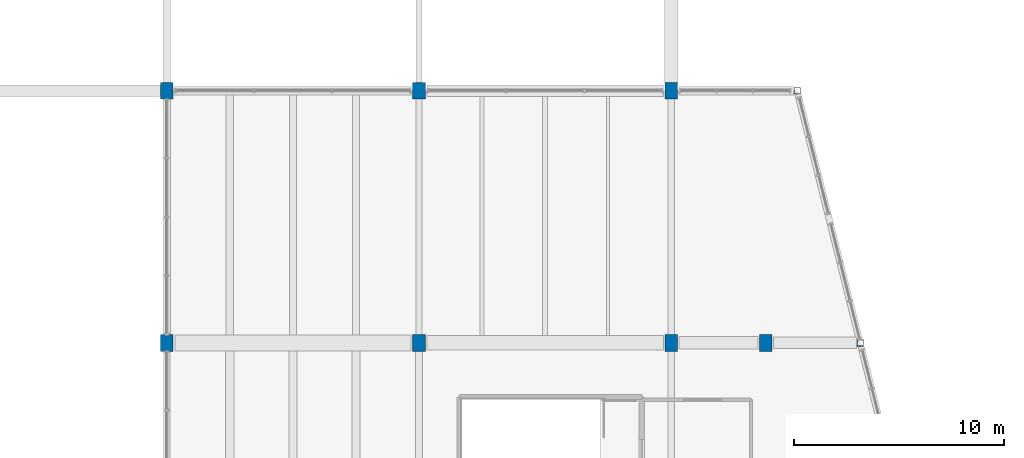
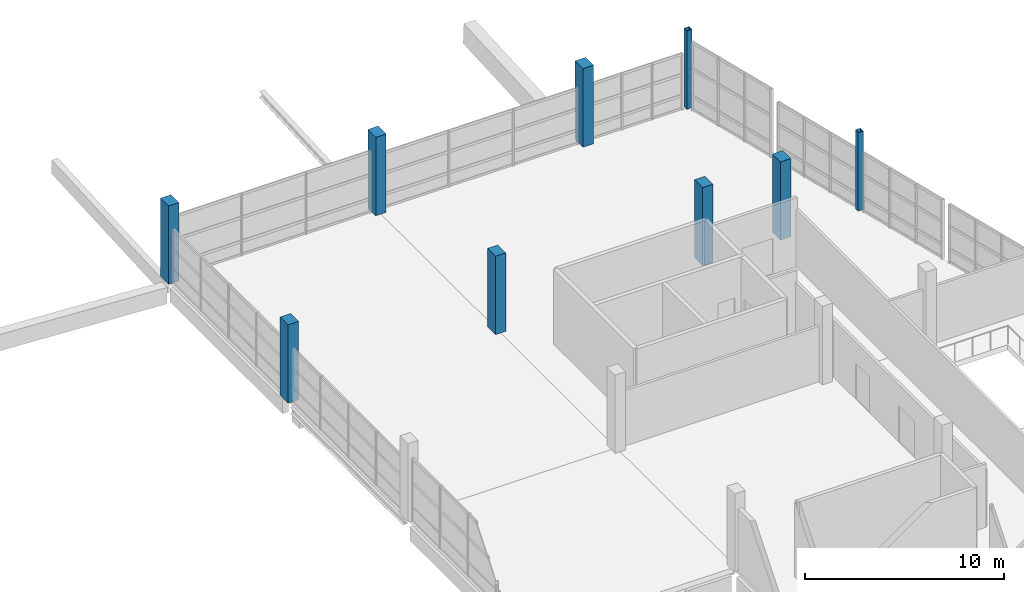
# One storey, part 3 of 49: 9 columns.
"""IFC4 building model written with IfcOpenShell, lengths in metres."""

import ifcopenshell
import ifcopenshell.guid

model = None  # the IFC model being written
_history = None  # IfcOwnerHistory: only IFC2X3 demands one
_inside = {}  # id of a spatial element -> (the spatial element, [elements in it])
_under = {}  # id of a project, library or spatial element -> (it, [spatial elements below it])
_declared = {}  # id of a project -> (the project, [libraries it declares])
_typed = {}  # id of a type object -> (the type object, [elements of that type])
_made_of = {}  # id of a material, layer set ... -> (it, [elements and type objects made of it])


def new_model(schema):
    """Start an empty IFC model of exactly this schema.

    Asked for "IFC4X3", IfcOpenShell would pick the latest addendum, in which some entities
    have other attributes; the version numbers below select the first issue.
    IFC2X3 requires an IfcOwnerHistory on every rooted entity: one is made here for all.
    """
    global model, _history
    if schema == "IFC4X3":
        model = ifcopenshell.file(schema_version=(4, 3, 0, 0))
    else:
        model = ifcopenshell.file(schema=schema)
    _inside.clear()
    _under.clear()
    _declared.clear()
    _typed.clear()
    _made_of.clear()
    _history = None
    if model.schema == "IFC2X3":
        org = make("IfcOrganization", Name="unknown")
        user = make(
            "IfcPersonAndOrganization",
            ThePerson=make("IfcPerson", FamilyName="unknown"),
            TheOrganization=org,
        )
        app = make(
            "IfcApplication",
            ApplicationDeveloper=org,
            Version="unknown",
            ApplicationFullName="unknown",
            ApplicationIdentifier="unknown",
        )
        _history = make(
            "IfcOwnerHistory",
            OwningUser=user,
            OwningApplication=app,
            ChangeAction="ADDED",
            CreationDate=0,
        )
    return model


def make(cls, **values):
    """One entity of the class cls with the attributes given. An attribute that is None is left unset."""
    return model.create_entity(
        cls, **{name: value for name, value in values.items() if value is not None}
    )


def rooted(cls, **values):
    """An entity with a GlobalId (a new one), such as an element, a storey or a relation."""
    return make(cls, GlobalId=ifcopenshell.guid.new(), OwnerHistory=_history, **values)


def si_unit(unit_type, name, prefix=None):
    """IfcSIUnit, for example si_unit("LENGTHUNIT", "METRE", prefix="MILLI")."""
    return make("IfcSIUnit", UnitType=unit_type, Prefix=prefix, Name=name)


def assignment(units):
    """IfcUnitAssignment: the units of a project."""
    return None if units is None else make("IfcUnitAssignment", Units=units)


def point(xyz):
    """IfcCartesianPoint."""
    return None if xyz is None else make("IfcCartesianPoint", Coordinates=xyz)


def direction(xyz):
    """IfcDirection."""
    return None if xyz is None else make("IfcDirection", DirectionRatios=xyz)


def frame(location, z_axis=None, x_axis=None):
    """IfcAxis2Placement3D, a coordinate frame: its origin and axes. An axis left out is left unset."""
    return make(
        "IfcAxis2Placement3D",
        Location=point(location),
        Axis=direction(z_axis),
        RefDirection=direction(x_axis),
    )


def frame_2d(location, x_axis=None):
    """IfcAxis2Placement2D, a coordinate frame in the plane: its origin and x axis."""
    return make(
        "IfcAxis2Placement2D", Location=point(location), RefDirection=direction(x_axis)
    )


def origin():
    """The frame at (0, 0, 0) with its axes left unset."""
    return frame((0.0, 0.0, 0.0))


def origin_2d():
    """The frame at (0, 0) in the plane with its x axis left unset."""
    return frame_2d((0.0, 0.0))


def place(relative_to, where):
    """IfcLocalPlacement: puts the frame where relative to a parent placement (None: the world)."""
    return make(
        "IfcLocalPlacement", PlacementRelTo=relative_to, RelativePlacement=where
    )


def context(
    kind, dimensions, precision=None, world=None, true_north=None, identifier=None
):
    """IfcGeometricRepresentationContext, for example the 3D "Model" context."""
    return make(
        "IfcGeometricRepresentationContext",
        ContextIdentifier=identifier,
        ContextType=kind,
        CoordinateSpaceDimension=dimensions,
        Precision=precision,
        WorldCoordinateSystem=world,
        TrueNorth=true_north,
    )


def subcontext(parent, identifier, kind, view, scale=None):
    """IfcGeometricRepresentationSubContext, for example "Body" below "Model"."""
    return make(
        "IfcGeometricRepresentationSubContext",
        ContextIdentifier=identifier,
        ContextType=kind,
        ParentContext=parent,
        TargetScale=scale,
        TargetView=view,
    )


def project(units=None, contexts=None):
    """IfcProject with its units and contexts."""
    return rooted(
        "IfcProject",
        Name="project",
        RepresentationContexts=contexts,
        UnitsInContext=assignment(units),
    )


def spatial(cls, under=None, at=None, **own):
    """A site, building, storey or space (cls), placed at a placement, below another one or the project."""
    s = rooted(cls, ObjectPlacement=at, **own)
    if under is not None:
        _under.setdefault(under.id(), (under, []))[1].append(s)
    return s


def profile(cls, at=None, kind="AREA", **sizes):
    """A parametric profile (cls). Its sizes go by their IFC names, for example OverallWidth=200.0."""
    return make(cls, ProfileType=kind, Position=at, **sizes)


def rectangle(**sizes):
    """IfcRectangleProfileDef."""
    return profile("IfcRectangleProfileDef", **sizes)


def hollow_rectangle(**sizes):
    """IfcRectangleHollowProfileDef."""
    return profile("IfcRectangleHollowProfileDef", **sizes)


def extrude(swept, where, along, depth):
    """IfcExtrudedAreaSolid: the profile swept, set in the frame where, extruded along a direction by depth."""
    return make(
        "IfcExtrudedAreaSolid",
        SweptArea=swept,
        Position=where,
        ExtrudedDirection=direction(along),
        Depth=depth,
    )


def shape(context_of_items, identifier, shape_type, items):
    """IfcShapeRepresentation: the items that make up one representation, for example the "Body"."""
    return make(
        "IfcShapeRepresentation",
        ContextOfItems=context_of_items,
        RepresentationIdentifier=identifier,
        RepresentationType=shape_type,
        Items=items,
    )


def material(Name=None, Category=None):
    """IfcMaterial."""
    return make("IfcMaterial", Name=Name, Category=Category)


def material_profile(
    of_material, cross_section, Name=None, Category=None, Priority=None
):
    """IfcMaterialProfile: a cross section and its material."""
    return make(
        "IfcMaterialProfile",
        Name=Name,
        Material=of_material,
        Profile=cross_section,
        Priority=Priority,
        Category=Category,
    )


def profile_set(profiles, Name=None, composite=None):
    """IfcMaterialProfileSet."""
    return make(
        "IfcMaterialProfileSet",
        Name=Name,
        MaterialProfiles=profiles,
        CompositeProfile=composite,
    )


def made_of(thing, what):
    """Note that an element or type object is made of a material, layer set ...; save() writes the relation."""
    if what is not None:
        _made_of.setdefault(what.id(), (what, []))[1].append(thing)
    return thing


def type_object(cls, material=None, **own):
    """A type object (cls), such as IfcWallType, which elements share."""
    return made_of(rooted(cls, **own), material)


def element(
    cls,
    number,
    at=None,
    inside=None,
    cuts=None,
    type_object=None,
    material=None,
    context=None,
    identifier="Body",
    shape_type=None,
    held_by="IfcProductDefinitionShape",
    body=None,
    shapes=None,
    **own,
):
    """One element of the class cls, such as IfcWall. Its Tag is "e" and its number.

    at: its placement. inside: the storey or other place that contains it. cuts: it is an
    opening in that element (IfcRelVoidsElement). A single representation is given by context,
    identifier, shape_type and body (its items); several are given by shapes. held_by: the class
    of the entity that holds the representations. save() writes the other relations.
    """
    e = rooted(cls, Tag="e%d" % number, ObjectPlacement=at, **own)
    if body is not None:
        shapes = [shape(context, identifier, shape_type, body)]
    if shapes is not None:
        e.Representation = make(held_by, Representations=shapes)
    if inside is not None:
        _inside.setdefault(inside.id(), (inside, []))[1].append(e)
    if cuts is not None:
        rooted(
            "IfcRelVoidsElement", RelatingBuildingElement=cuts, RelatedOpeningElement=e
        )
    if type_object is not None:
        _typed.setdefault(type_object.id(), (type_object, []))[1].append(e)
    return made_of(e, material)


def aggregate(whole, parts):
    """IfcRelAggregates: a whole, such as a stair, and the parts it consists of."""
    return rooted("IfcRelAggregates", RelatingObject=whole, RelatedObjects=parts)


def save(model, path):
    """Write the relations noted so far, then the file.

    IfcRelAggregates (storeys below a building ...), IfcRelContainedInSpatialStructure (elements
    in a storey), IfcRelDefinesByType, IfcRelAssociatesMaterial and IfcRelDeclares: one each for
    every whole, place, type object, material and project.
    """
    for whole, parts in _under.values():
        aggregate(whole, parts)
    for where, things in _inside.values():
        rooted(
            "IfcRelContainedInSpatialStructure",
            RelatedElements=things,
            RelatingStructure=where,
        )
    for kind, things in _typed.values():
        rooted("IfcRelDefinesByType", RelatedObjects=things, RelatingType=kind)
    for what, things in _made_of.values():
        rooted("IfcRelAssociatesMaterial", RelatedObjects=things, RelatingMaterial=what)
    for by, libraries in _declared.values():
        rooted("IfcRelDeclares", RelatingContext=by, RelatedDefinitions=libraries)
    model.write(path)


model = new_model("IFC4")

# Units and contexts
model_context = context("Model", 3, precision=1e-05, world=origin(), true_north=direction((0.0, 1.0)))
body_context = subcontext(model_context, "Body", "Model", "MODEL_VIEW")
ifc_project = project(units=[si_unit("LENGTHUNIT", "METRE"), si_unit("AREAUNIT", "SQUARE_METRE"), si_unit("VOLUMEUNIT", "CUBIC_METRE"), si_unit("PLANEANGLEUNIT", "RADIAN"), si_unit("MASSUNIT", "GRAM", prefix="KILO")], contexts=[model_context])

# Site, building, storey
site_placement = place(None, origin())
site = spatial("IfcSite", under=ifc_project, at=site_placement, CompositionType="ELEMENT")
building_placement = place(site_placement, origin())
building = spatial("IfcBuilding", under=site, at=building_placement, Name="Kamomehara Wholesale Market", CompositionType="ELEMENT")
storey_placement = place(building_placement, frame((0.0, 0.0, 11.39990234375)))
storey = spatial("IfcBuildingStorey", under=building, at=storey_placement, Name="L02", CompositionType="ELEMENT", Elevation=11.39990234375)

# Columns
ifc_material_1 = material(Name="Precast concrete Fc45 (C40/50)", Category="concrete")
ifc_material_profile_1 = material_profile(ifc_material_1, rectangle(XDim=0.60009765625, YDim=0.800048828125, at=origin_2d()), Name="PC-COL-600x800")
ifc_profile_set_1 = profile_set([ifc_material_profile_1], Name="Precast concrete Fc45 (C40/50)")
column_type_1 = type_object("IfcColumnType", Name="COL-PCR800", PredefinedType="COLUMN", material=ifc_profile_set_1)
for number, where, z_axis, x_axis, name in (
    (1, (180.0, 84.0, 0.0), (0.0, 0.0, 1.0), (1.0, 0.0, 0.0), "Column C-09 L02"),
    (2, (184.5, 84.0, 0.0), (0.0, 0.0, 1.0), (1.0, 0.0, 0.0), "Column C-09 L02"),
):
    element("IfcColumn", number, at=place(storey_placement, frame(where, z_axis=z_axis, x_axis=x_axis)), inside=storey, type_object=column_type_1, Name=name, PredefinedType="COLUMN", context=body_context, shape_type="SweptSolid", body=[
        extrude(rectangle(XDim=0.60009765625, YDim=0.800048828125, at=origin_2d()), origin(), (0.0, 0.0, 1.0), 4.800048828125),
    ])
ifc_material_2 = material(Name="Precast concrete Fc45 (C40/50)", Category="concrete")
ifc_material_profile_2 = material_profile(ifc_material_2, rectangle(XDim=0.60009765625, YDim=0.800048828125, at=origin_2d()), Name="PC-COL-600x800")
ifc_profile_set_2 = profile_set([ifc_material_profile_2], Name="Precast concrete Fc45 (C40/50)")
column_type_2 = type_object("IfcColumnType", Name="COL-PCR800-EXT", PredefinedType="COLUMN", material=ifc_profile_set_2)
for number, where, z_axis, x_axis, name in (
    (3, (156.0, 84.0, 0.0), (0.0, 0.0, 1.0), (1.0, 0.0, 0.0), "Column C-09E L02"),
    (4, (156.0, 96.0, 0.0), (0.0, 0.0, 1.0), (1.0, 0.0, 0.0), "Column C-09E L02"),
    (5, (168.0, 84.0, 0.0), (0.0, 0.0, 1.0), (1.0, 0.0, 0.0), "Column C-09E L02"),
    (6, (168.0, 96.0, 0.0), (0.0, 0.0, 1.0), (1.0, 0.0, 0.0), "Column C-09E L02"),
    (7, (180.0, 96.0, 0.0), (0.0, 0.0, 1.0), (1.0, 0.0, 0.0), "Column C-09E L02"),
):
    element("IfcColumn", number, at=place(storey_placement, frame(where, z_axis=z_axis, x_axis=x_axis)), inside=storey, type_object=column_type_2, Name=name, PredefinedType="COLUMN", context=body_context, shape_type="SweptSolid", body=[
        extrude(rectangle(XDim=0.60009765625, YDim=0.800048828125, at=origin_2d()), origin(), (0.0, 0.0, 1.0), 4.800048828125),
    ])
ifc_material_3 = material(Name="Steel SN490B", Category="steel")
ifc_material_profile_3 = material_profile(ifc_material_3, hollow_rectangle(XDim=0.300048828125, YDim=0.300048828125, WallThickness=0.01611328125, at=origin_2d()), Name="RHS-300x300x16")
ifc_profile_set_3 = profile_set([ifc_material_profile_3], Name="Steel SN490B")
column_type_3 = type_object("IfcColumnType", Name="COL-ST-RHS300", PredefinedType="COLUMN", material=ifc_profile_set_3)
column_1_placement = place(storey_placement, frame((189.0, 84.0, 0.0), z_axis=(0.0, 0.0, 1.0), x_axis=(1.0, 0.0, 0.0)))
element("IfcColumn", 8, at=column_1_placement, inside=storey, type_object=column_type_3, Name="Column CS-06 L02", PredefinedType="COLUMN", context=body_context, shape_type="SweptSolid", body=[
    extrude(hollow_rectangle(XDim=0.300048828125, YDim=0.300048828125, WallThickness=0.01611328125, at=origin_2d()), origin(), (0.0, 0.0, 1.0), 4.800048828125),
])
ifc_material_4 = material(Name="Steel SN490B", Category="steel")
ifc_material_profile_4 = material_profile(ifc_material_4, hollow_rectangle(XDim=0.300048828125, YDim=0.300048828125, WallThickness=0.01611328125, at=origin_2d()), Name="RHS-300x300x16")
ifc_profile_set_4 = profile_set([ifc_material_profile_4], Name="Steel SN490B")
column_type_4 = type_object("IfcColumnType", Name="COL-ST-RHS300-EXT", PredefinedType="COLUMN", material=ifc_profile_set_4)
column_2_placement = place(storey_placement, frame((186.0, 96.0, 0.0), z_axis=(0.0, 0.0, 1.0), x_axis=(1.0, 0.0, 0.0)))
element("IfcColumn", 9, at=column_2_placement, inside=storey, type_object=column_type_4, Name="Column CS-06E L02", PredefinedType="COLUMN", context=body_context, shape_type="SweptSolid", body=[
    extrude(hollow_rectangle(XDim=0.300048828125, YDim=0.300048828125, WallThickness=0.01611328125, at=origin_2d()), origin(), (0.0, 0.0, 1.0), 4.800048828125),
])

save(model, "model.ifc")
